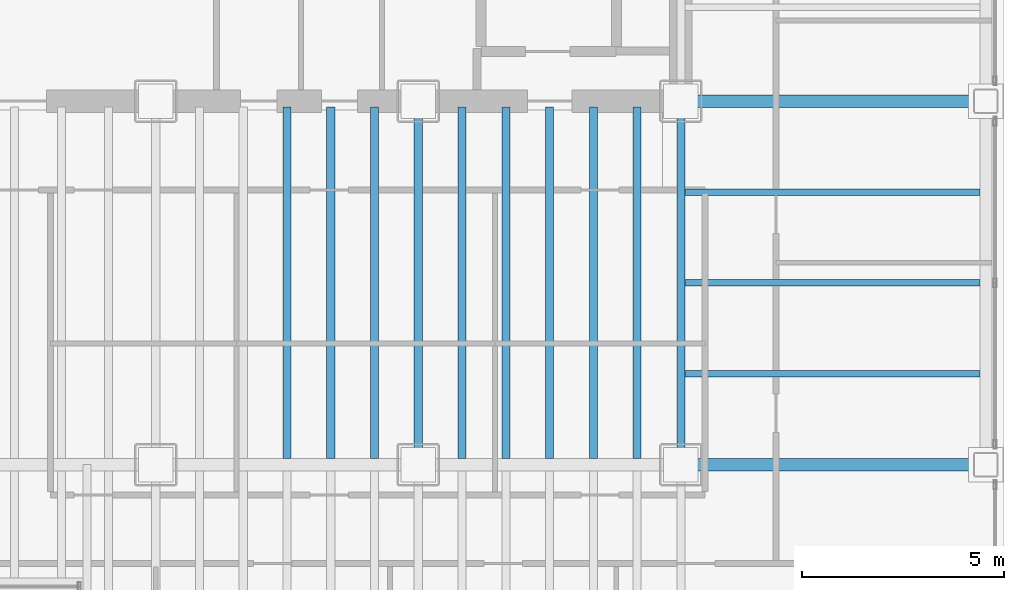
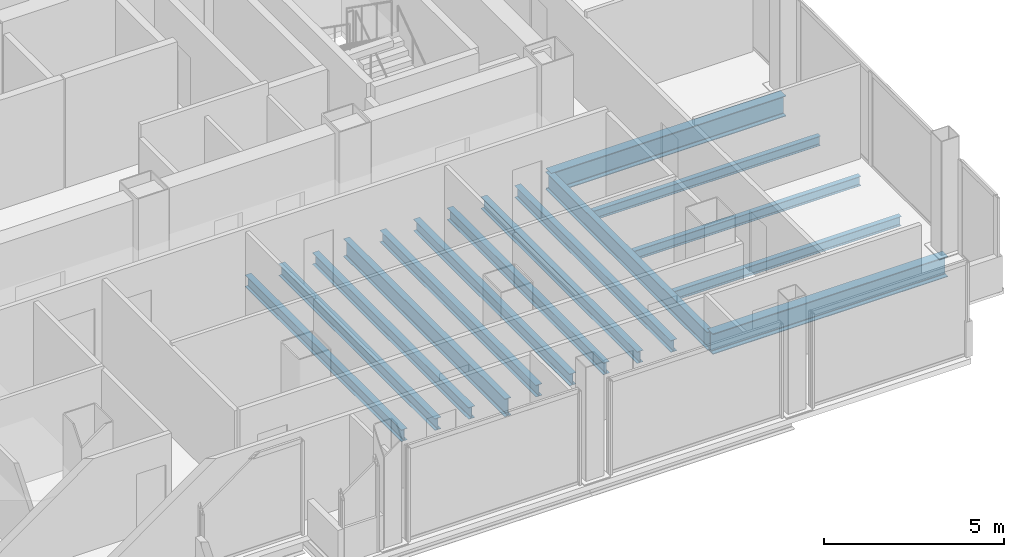
# One storey, part 10 of 21: 15 beams.
"""IFC4 building model written with IfcOpenShell, lengths in metres."""

from ifc_helpers import new_model, si_unit, direction, frame, origin, origin_2d, place, context, subcontext, project, spatial, i_section, extrude, material, material_profile, profile_set, type_object, element, save


model = new_model("IFC4")

# Units and contexts
model_context = context("Model", 3, precision=1e-05, world=origin(), true_north=direction((0.0, 1.0)))
body_context = subcontext(model_context, "Body", "Model", "MODEL_VIEW")
ifc_project = project(units=[si_unit("LENGTHUNIT", "METRE"), si_unit("AREAUNIT", "SQUARE_METRE"), si_unit("VOLUMEUNIT", "CUBIC_METRE"), si_unit("PLANEANGLEUNIT", "RADIAN"), si_unit("MASSUNIT", "GRAM", prefix="KILO")], contexts=[model_context])

# Site, building, storey
site_placement = place(None, origin())
site = spatial("IfcSite", under=ifc_project, at=site_placement, CompositionType="ELEMENT")
building_placement = place(site_placement, origin())
building = spatial("IfcBuilding", under=site, at=building_placement, Name="Noeulbin Bourse Tower", CompositionType="ELEMENT")
storey_placement = place(building_placement, frame((0.0, 0.0, 30.39990234375)))
storey = spatial("IfcBuildingStorey", under=building, at=storey_placement, Name="L07", CompositionType="ELEMENT", Elevation=30.39990234375)

# Beams
ifc_material = material(Name="Steel S355", Category="steel")
ifc_material_profile_1 = material_profile(ifc_material, i_section(OverallWidth=0.199951171875, OverallDepth=0.60009765625, WebThickness=0.010986328125, FlangeThickness=0.01708984375, FilletRadius=0.02197265625, at=origin_2d()), Name="H-600x200x11x17", Category="LoadBearing")
ifc_profile_set_1 = profile_set([ifc_material_profile_1], Name="Steel S355")
beam_type_1 = type_object("IfcBeamType", Name="BM-GRD-600", PredefinedType="USERDEFINED", material=ifc_profile_set_1)
for number, where, z_axis, x_axis, name in (
    (1, (37.5, 20.0, -0.47998046875), (0.0, 1.0, 0.0), (-1.0, 0.0, 0.0), "Tower Primary Girder NS L07-4.2"),
    (2, (44.0, 20.0, -0.47998046875), (0.0, 1.0, 0.0), (-1.0, 0.0, 0.0), "Tower Primary Girder NS L07-5.2"),
):
    element("IfcBeam", number, at=place(storey_placement, frame(where, z_axis=z_axis, x_axis=x_axis)), inside=storey, type_object=beam_type_1, Name=name, ObjectType="GIRDER", PredefinedType="USERDEFINED", context=body_context, shape_type="SweptSolid", body=[
        extrude(i_section(OverallWidth=0.199951171875, OverallDepth=0.60009765625, WebThickness=0.010986328125, FlangeThickness=0.01708984375, FilletRadius=0.02197265625, at=origin_2d()), origin(), (0.0, 0.0, 1.0), 9.0),
    ])
ifc_material_profile_2 = material_profile(ifc_material, i_section(OverallWidth=0.300048828125, OverallDepth=0.699951171875, WebThickness=0.012939453125, FlangeThickness=0.02392578125, FilletRadius=0.02392578125, at=origin_2d()), Name="H-700x300x13x24", Category="LoadBearing")
ifc_profile_set_2 = profile_set([ifc_material_profile_2], Name="Steel S355")
beam_type_2 = type_object("IfcBeamType", Name="BM-GRD-700", PredefinedType="USERDEFINED", material=ifc_profile_set_2)
for number, where, z_axis, x_axis, name in (
    (3, (44.0, 20.0, -0.52978515625), (1.0, 0.0, 0.0), (0.0, 1.0, 0.0), "Tower Primary Girder EW L07-1.6"),
    (4, (44.0, 29.0, -0.52978515625), (1.0, 0.0, 0.0), (0.0, 1.0, 0.0), "Tower Primary Girder EW L07-2.6"),
):
    element("IfcBeam", number, at=place(storey_placement, frame(where, z_axis=z_axis, x_axis=x_axis)), inside=storey, type_object=beam_type_2, Name=name, ObjectType="GIRDER", PredefinedType="USERDEFINED", context=body_context, shape_type="SweptSolid", body=[
        extrude(i_section(OverallWidth=0.300048828125, OverallDepth=0.699951171875, WebThickness=0.012939453125, FlangeThickness=0.02392578125, FilletRadius=0.02392578125, at=origin_2d()), origin(), (0.0, 0.0, 1.0), 7.550048828125),
    ])
ifc_material_profile_3 = material_profile(ifc_material, i_section(OverallWidth=0.159912109375, OverallDepth=0.320068359375, WebThickness=0.006591796875, FlangeThickness=0.010009765625, FilletRadius=0.012939453125, at=origin_2d()), Name="H-320x160x6.5x10", Category="LoadBearing")
ifc_profile_set_3 = profile_set([ifc_material_profile_3], Name="Steel S355")
beam_type_3 = type_object("IfcBeamType", Name="BM-JST-320", PredefinedType="JOIST", material=ifc_profile_set_3)
for number, where, z_axis, x_axis, name in (
    (5, (44.10009765625, 22.25, -0.33984375), (1.0, 0.0, 0.0), (0.0, 1.0, 0.0), "Wing Composite Joist L07-E75"),
    (6, (44.10009765625, 24.5, -0.33984375), (1.0, 0.0, 0.0), (0.0, 1.0, 0.0), "Wing Composite Joist L07-E76"),
    (7, (44.10009765625, 26.75, -0.33984375), (1.0, 0.0, 0.0), (0.0, 1.0, 0.0), "Wing Composite Joist L07-E77"),
):
    element("IfcBeam", number, at=place(storey_placement, frame(where, z_axis=z_axis, x_axis=x_axis)), inside=storey, type_object=beam_type_3, Name=name, PredefinedType="JOIST", context=body_context, shape_type="SweptSolid", body=[
        extrude(i_section(OverallWidth=0.159912109375, OverallDepth=0.320068359375, WebThickness=0.006591796875, FlangeThickness=0.010009765625, FilletRadius=0.012939453125, at=origin_2d()), origin(), (0.0, 0.0, 1.0), 7.2998046875),
    ])
ifc_material_profile_4 = material_profile(ifc_material, i_section(OverallWidth=0.199951171875, OverallDepth=0.39990234375, WebThickness=0.008056640625, FlangeThickness=0.012939453125, FilletRadius=0.01611328125, at=origin_2d()), Name="H-400x200x8x13", Category="LoadBearing")
ifc_profile_set_4 = profile_set([ifc_material_profile_4], Name="Steel S355")
beam_type_4 = type_object("IfcBeamType", Name="BM-SEC-400", PredefinedType="BEAM", material=ifc_profile_set_4)
for number, where, z_axis, x_axis, name in (
    (8, (34.25, 20.14990234375, -0.3798828125), (0.0, 1.0, 0.0), (-1.0, 0.0, 0.0), "Tower Composite Joist L07-46"),
    (9, (35.333251953125, 20.14990234375, -0.3798828125), (0.0, 1.0, 0.0), (-1.0, 0.0, 0.0), "Tower Composite Joist L07-49"),
    (10, (36.416748046875, 20.14990234375, -0.3798828125), (0.0, 1.0, 0.0), (-1.0, 0.0, 0.0), "Tower Composite Joist L07-52"),
    (11, (38.583251953125, 20.14990234375, -0.3798828125), (0.0, 1.0, 0.0), (-1.0, 0.0, 0.0), "Tower Composite Joist L07-55"),
    (12, (39.666748046875, 20.14990234375, -0.3798828125), (0.0, 1.0, 0.0), (-1.0, 0.0, 0.0), "Tower Composite Joist L07-58"),
    (13, (40.75, 20.14990234375, -0.3798828125), (0.0, 1.0, 0.0), (-1.0, 0.0, 0.0), "Tower Composite Joist L07-61"),
    (14, (41.833251953125, 20.14990234375, -0.3798828125), (0.0, 1.0, 0.0), (-1.0, 0.0, 0.0), "Tower Composite Joist L07-64"),
    (15, (42.916748046875, 20.14990234375, -0.3798828125), (0.0, 1.0, 0.0), (-1.0, 0.0, 0.0), "Tower Composite Joist L07-67"),
):
    element("IfcBeam", number, at=place(storey_placement, frame(where, z_axis=z_axis, x_axis=x_axis)), inside=storey, type_object=beam_type_4, Name=name, PredefinedType="BEAM", context=body_context, shape_type="SweptSolid", body=[
        extrude(i_section(OverallWidth=0.199951171875, OverallDepth=0.39990234375, WebThickness=0.008056640625, FlangeThickness=0.012939453125, FilletRadius=0.01611328125, at=origin_2d()), origin(), (0.0, 0.0, 1.0), 8.7001953125),
    ])

save(model, "model.ifc")
